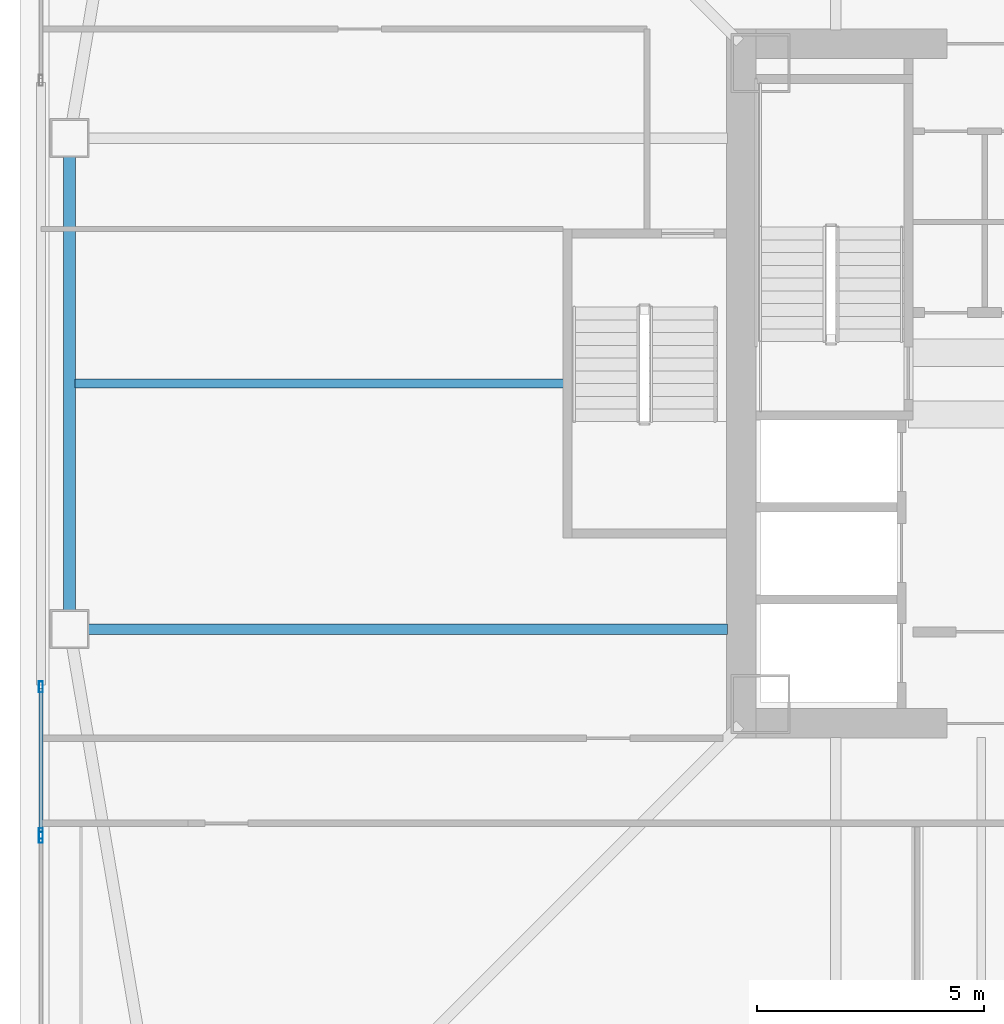
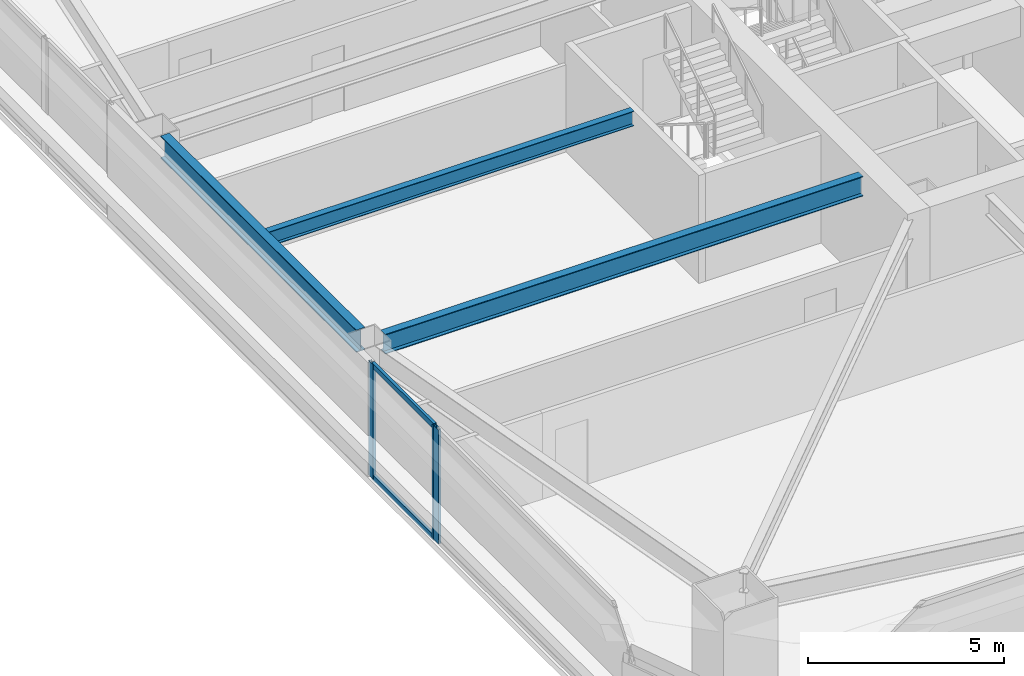
# One storey, part 7 of 46: 5 members, 3 beams, 2 elements without a shape of their own.
"""IFC4 building model written with IfcOpenShell, lengths in metres."""

from ifc_helpers import new_model, si_unit, direction, frame, origin, origin_2d, place, context, subcontext, project, spatial, hollow_rectangle, i_section, extrude, material, material_profile, profile_set, type_object, element, aggregate, save


model = new_model("IFC4")

# Units and contexts
model_context = context("Model", 3, precision=1e-05, world=origin(), true_north=direction((0.0, 1.0)))
body_context = subcontext(model_context, "Body", "Model", "MODEL_VIEW")
ifc_project = project(units=[si_unit("LENGTHUNIT", "METRE"), si_unit("AREAUNIT", "SQUARE_METRE"), si_unit("VOLUMEUNIT", "CUBIC_METRE"), si_unit("PLANEANGLEUNIT", "RADIAN"), si_unit("MASSUNIT", "GRAM", prefix="KILO")], contexts=[model_context])

# Site, building, storey
site_placement = place(None, origin())
site = spatial("IfcSite", under=ifc_project, at=site_placement, CompositionType="ELEMENT")
building_placement = place(site_placement, origin())
building = spatial("IfcBuilding", under=site, at=building_placement, Name="Tashvorn Skyway Center", CompositionType="ELEMENT")
storey_placement = place(building_placement, frame((0.0, 0.0, 31.699951171875)))
storey = spatial("IfcBuildingStorey", under=building, at=storey_placement, Name="L07", CompositionType="ELEMENT", Elevation=31.699951171875)

# Beams
ifc_material_1 = material(Name="Steel ASTM A992 Grade 50", Category="steel")
ifc_material_profile_1 = material_profile(ifc_material_1, i_section(OverallWidth=0.22998046875, OverallDepth=0.616943359375, WebThickness=0.01318359375, FlangeThickness=0.022216796875, at=origin_2d()), Name="W24X94")
ifc_profile_set_1 = profile_set([ifc_material_profile_1], Name="Steel ASTM A992 Grade 50")
beam_type_1 = type_object("IfcBeamType", Name="BM-BEAM-W24X94", PredefinedType="BEAM", material=ifc_profile_set_1)
beam_1_placement = place(storey_placement, frame((20.169921875, 26.60009765625, 3.04150390625), z_axis=(1.0, 0.0, 0.0), x_axis=(0.0, 1.0, 0.0)))
element("IfcBeam", 1, at=beam_1_placement, inside=storey, type_object=beam_type_1, Name="Tower 1 L07 Primary Floor Girder FC-W2", PredefinedType="BEAM", context=body_context, shape_type="SweptSolid", body=[
    extrude(i_section(OverallWidth=0.22998046875, OverallDepth=0.616943359375, WebThickness=0.01318359375, FlangeThickness=0.022216796875, at=origin_2d()), origin(), (0.0, 0.0, 1.0), 14.050048828125),
])
ifc_material_profile_2 = material_profile(ifc_material_1, i_section(OverallWidth=0.19091796875, OverallDepth=0.4599609375, WebThickness=0.010009765625, FlangeThickness=0.01611328125, at=origin_2d()), Name="W18X55")
ifc_profile_set_2 = profile_set([ifc_material_profile_2], Name="Steel ASTM A992 Grade 50")
beam_type_2 = type_object("IfcBeamType", Name="BM-JOIST-W18X55", PredefinedType="JOIST", material=ifc_profile_set_2)
beam_2_placement = place(storey_placement, frame((30.610107421875, 32.0, 3.1201171875), z_axis=(-1.0, 0.0, 0.0), x_axis=(0.0, -1.0, 0.0)))
element("IfcBeam", 2, at=beam_2_placement, inside=storey, type_object=beam_type_2, Name="Tower 1 L07 Secondary Composite Joist JW", PredefinedType="JOIST", context=body_context, shape_type="SweptSolid", body=[
    extrude(i_section(OverallWidth=0.19091796875, OverallDepth=0.4599609375, WebThickness=0.010009765625, FlangeThickness=0.01611328125, at=origin_2d()), origin(), (0.0, 0.0, 1.0), 10.739990234375),
])
ifc_material_profile_3 = material_profile(ifc_material_1, i_section(OverallWidth=0.256103515625, OverallDepth=0.693115234375, WebThickness=0.014404296875, FlangeThickness=0.023681640625, at=origin_2d()), Name="W27X114")
ifc_profile_set_3 = profile_set([ifc_material_profile_3], Name="Steel ASTM A992 Grade 50")
beam_type_3 = type_object("IfcBeamType", Name="BM-SPANDREL-W27X114", PredefinedType="SPANDREL", material=ifc_profile_set_3)
beam_3_placement = place(storey_placement, frame((19.75, 36.97998046875, 3.003662109375), z_axis=(0.0, -1.0, 0.0), x_axis=(1.0, 0.0, 0.0)))
element("IfcBeam", 3, at=beam_3_placement, inside=storey, type_object=beam_type_3, Name="Tower 1 L07 Spandrel Beam 11", PredefinedType="SPANDREL", context=body_context, shape_type="SweptSolid", body=[
    extrude(i_section(OverallWidth=0.256103515625, OverallDepth=0.693115234375, WebThickness=0.014404296875, FlangeThickness=0.023681640625, at=origin_2d()), origin(), (0.0, 0.0, 1.0), 9.9599609375),
])

# Curtain wall, member
ifc_material_2 = material(Name="Thermally broken bronze-anodized aluminium 6063-T6", Category="aluminium")
curtain_wall_type = type_object("IfcCurtainWallType", Name="CW-CW-Z1", PredefinedType="NOTDEFINED", material=ifc_material_2)
curtain_wall_1_placement = place(storey_placement, origin())
curtain_wall_1 = element("IfcCurtainWall", 4, at=curtain_wall_1_placement, inside=storey, type_object=curtain_wall_type, Name="Tower 1 L07 West Unitised Curtain Wall Glazing Group 1", PredefinedType="NOTDEFINED")
ifc_material_profile_4 = material_profile(ifc_material_2, hollow_rectangle(XDim=0.0849609375, YDim=0.239990234375, WallThickness=0.0048828125, at=origin_2d()), Name="ALU-MULL-85x240")
ifc_profile_set_4 = profile_set([ifc_material_profile_4], Name="Thermally broken bronze-anodized aluminium 6063-T6")
member_type_1 = type_object("IfcMemberType", Name="CWM-CW-Z1", PredefinedType="MULLION", material=ifc_profile_set_4)
member_1_placement = place(storey_placement, frame((19.1201171875, 22.017578125, 0.0), z_axis=(0.0, 0.0, 1.0), x_axis=(-1.0, 0.0, 0.0)))
member_1 = element("IfcMember", 5, at=member_1_placement, type_object=member_type_1, Name="CW-Z1 mullion 2", PredefinedType="MULLION", context=body_context, shape_type="SweptSolid", body=[
    extrude(hollow_rectangle(XDim=0.0849609375, YDim=0.239990234375, WallThickness=0.0048828125, at=origin_2d()), origin(), (0.0, 0.0, 1.0), 3.550048828125),
])
aggregate(curtain_wall_1, [member_1])

# Curtain wall, members
curtain_wall_2_placement = place(storey_placement, origin())
curtain_wall_2 = element("IfcCurtainWall", 6, at=curtain_wall_2_placement, inside=storey, type_object=curtain_wall_type, Name="Tower 1 L07 West Unitised Curtain Wall Glazing Group 2", PredefinedType="NOTDEFINED")
member_2_placement = place(storey_placement, frame((19.1201171875, 22.1025390625, 0.0), z_axis=(0.0, 0.0, 1.0), x_axis=(-1.0, 0.0, 0.0)))
member_2 = element("IfcMember", 7, at=member_2_placement, type_object=member_type_1, Name="CW-Z1 mullion 1", PredefinedType="MULLION", context=body_context, shape_type="SweptSolid", body=[
    extrude(hollow_rectangle(XDim=0.0849609375, YDim=0.239990234375, WallThickness=0.0048828125, at=origin_2d()), origin(), (0.0, 0.0, 1.0), 3.550048828125),
])
member_3_placement = place(storey_placement, frame((19.1201171875, 25.330810546875, 0.0), z_axis=(0.0, 0.0, 1.0), x_axis=(-1.0, 0.0, 0.0)))
member_3 = element("IfcMember", 8, at=member_3_placement, type_object=member_type_1, Name="CW-Z1 mullion 2", PredefinedType="MULLION", context=body_context, shape_type="SweptSolid", body=[
    extrude(hollow_rectangle(XDim=0.0849609375, YDim=0.239990234375, WallThickness=0.0048828125, at=origin_2d()), origin(), (0.0, 0.0, 1.0), 3.550048828125),
])
ifc_material_profile_5 = material_profile(ifc_material_2, hollow_rectangle(XDim=0.0849609375, YDim=0.1650390625, WallThickness=0.0048828125, at=origin_2d()), Name="ALU-TRAN-85x165")
ifc_profile_set_5 = profile_set([ifc_material_profile_5], Name="Thermally broken bronze-anodized aluminium 6063-T6")
member_type_2 = type_object("IfcMemberType", Name="CWT-CW-Z1", PredefinedType="USERDEFINED", material=ifc_profile_set_5)
member_4_placement = place(storey_placement, frame((19.1201171875, 22.14501953125, 0.04248046875), z_axis=(0.0, 1.0, 0.0), x_axis=(-1.0, 0.0, 0.0)))
member_4 = element("IfcMember", 9, at=member_4_placement, type_object=member_type_2, Name="CW-Z1 transom 1.1", ObjectType="TRANSOM", PredefinedType="USERDEFINED", context=body_context, shape_type="SweptSolid", body=[
    extrude(hollow_rectangle(XDim=0.0849609375, YDim=0.1650390625, WallThickness=0.0048828125, at=origin_2d()), origin(), (0.0, 0.0, 1.0), 3.143310546875),
])
member_5_placement = place(storey_placement, frame((19.1201171875, 22.14501953125, 3.507568359375), z_axis=(0.0, 1.0, 0.0), x_axis=(-1.0, 0.0, 0.0)))
member_5 = element("IfcMember", 10, at=member_5_placement, type_object=member_type_2, Name="CW-Z1 transom 1.2", ObjectType="TRANSOM", PredefinedType="USERDEFINED", context=body_context, shape_type="SweptSolid", body=[
    extrude(hollow_rectangle(XDim=0.0849609375, YDim=0.1650390625, WallThickness=0.0048828125, at=origin_2d()), origin(), (0.0, 0.0, 1.0), 3.143310546875),
])
aggregate(curtain_wall_2, [member_2, member_3, member_4, member_5])

save(model, "model.ifc")
